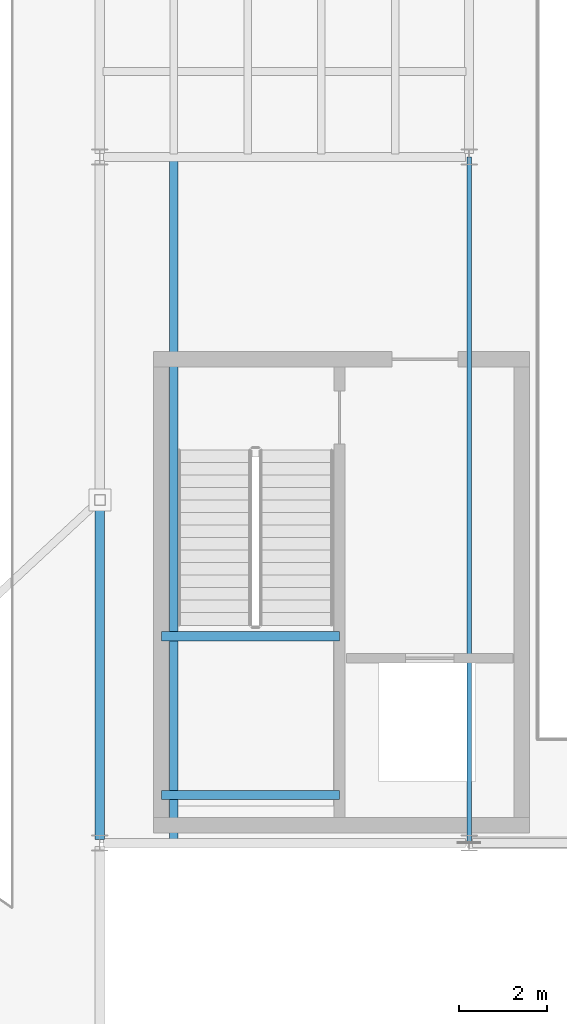
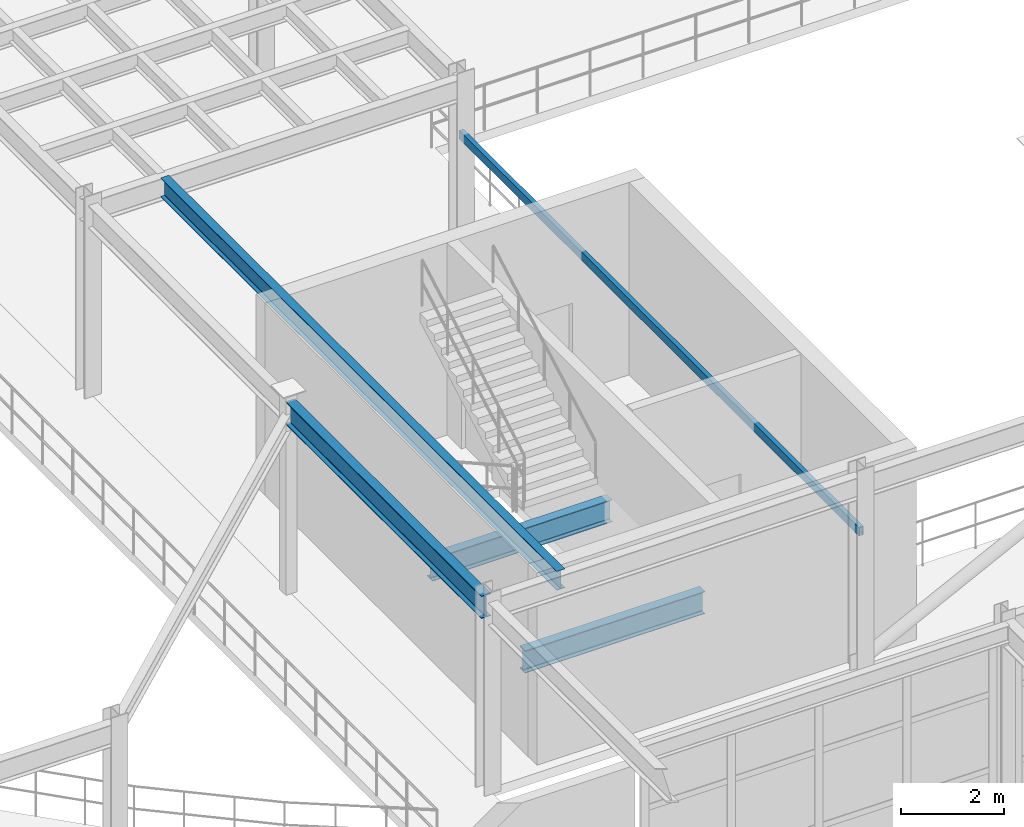
# One storey, part 31 of 116: 5 beams.
"""IFC4 building model written with IfcOpenShell, lengths in metres."""

import ifcopenshell
import ifcopenshell.guid

model = None  # the IFC model being written
_history = None  # IfcOwnerHistory: only IFC2X3 demands one
_inside = {}  # id of a spatial element -> (the spatial element, [elements in it])
_under = {}  # id of a project, library or spatial element -> (it, [spatial elements below it])
_declared = {}  # id of a project -> (the project, [libraries it declares])
_typed = {}  # id of a type object -> (the type object, [elements of that type])
_made_of = {}  # id of a material, layer set ... -> (it, [elements and type objects made of it])


def new_model(schema):
    """Start an empty IFC model of exactly this schema.

    Asked for "IFC4X3", IfcOpenShell would pick the latest addendum, in which some entities
    have other attributes; the version numbers below select the first issue.
    IFC2X3 requires an IfcOwnerHistory on every rooted entity: one is made here for all.
    """
    global model, _history
    if schema == "IFC4X3":
        model = ifcopenshell.file(schema_version=(4, 3, 0, 0))
    else:
        model = ifcopenshell.file(schema=schema)
    _inside.clear()
    _under.clear()
    _declared.clear()
    _typed.clear()
    _made_of.clear()
    _history = None
    if model.schema == "IFC2X3":
        org = make("IfcOrganization", Name="unknown")
        user = make(
            "IfcPersonAndOrganization",
            ThePerson=make("IfcPerson", FamilyName="unknown"),
            TheOrganization=org,
        )
        app = make(
            "IfcApplication",
            ApplicationDeveloper=org,
            Version="unknown",
            ApplicationFullName="unknown",
            ApplicationIdentifier="unknown",
        )
        _history = make(
            "IfcOwnerHistory",
            OwningUser=user,
            OwningApplication=app,
            ChangeAction="ADDED",
            CreationDate=0,
        )
    return model


def make(cls, **values):
    """One entity of the class cls with the attributes given. An attribute that is None is left unset."""
    return model.create_entity(
        cls, **{name: value for name, value in values.items() if value is not None}
    )


def rooted(cls, **values):
    """An entity with a GlobalId (a new one), such as an element, a storey or a relation."""
    return make(cls, GlobalId=ifcopenshell.guid.new(), OwnerHistory=_history, **values)


def si_unit(unit_type, name, prefix=None):
    """IfcSIUnit, for example si_unit("LENGTHUNIT", "METRE", prefix="MILLI")."""
    return make("IfcSIUnit", UnitType=unit_type, Prefix=prefix, Name=name)


def assignment(units):
    """IfcUnitAssignment: the units of a project."""
    return None if units is None else make("IfcUnitAssignment", Units=units)


def point(xyz):
    """IfcCartesianPoint."""
    return None if xyz is None else make("IfcCartesianPoint", Coordinates=xyz)


def direction(xyz):
    """IfcDirection."""
    return None if xyz is None else make("IfcDirection", DirectionRatios=xyz)


def frame(location, z_axis=None, x_axis=None):
    """IfcAxis2Placement3D, a coordinate frame: its origin and axes. An axis left out is left unset."""
    return make(
        "IfcAxis2Placement3D",
        Location=point(location),
        Axis=direction(z_axis),
        RefDirection=direction(x_axis),
    )


def frame_2d(location, x_axis=None):
    """IfcAxis2Placement2D, a coordinate frame in the plane: its origin and x axis."""
    return make(
        "IfcAxis2Placement2D", Location=point(location), RefDirection=direction(x_axis)
    )


def origin():
    """The frame at (0, 0, 0) with its axes left unset."""
    return frame((0.0, 0.0, 0.0))


def origin_2d():
    """The frame at (0, 0) in the plane with its x axis left unset."""
    return frame_2d((0.0, 0.0))


def place(relative_to, where):
    """IfcLocalPlacement: puts the frame where relative to a parent placement (None: the world)."""
    return make(
        "IfcLocalPlacement", PlacementRelTo=relative_to, RelativePlacement=where
    )


def context(
    kind, dimensions, precision=None, world=None, true_north=None, identifier=None
):
    """IfcGeometricRepresentationContext, for example the 3D "Model" context."""
    return make(
        "IfcGeometricRepresentationContext",
        ContextIdentifier=identifier,
        ContextType=kind,
        CoordinateSpaceDimension=dimensions,
        Precision=precision,
        WorldCoordinateSystem=world,
        TrueNorth=true_north,
    )


def subcontext(parent, identifier, kind, view, scale=None):
    """IfcGeometricRepresentationSubContext, for example "Body" below "Model"."""
    return make(
        "IfcGeometricRepresentationSubContext",
        ContextIdentifier=identifier,
        ContextType=kind,
        ParentContext=parent,
        TargetScale=scale,
        TargetView=view,
    )


def project(units=None, contexts=None):
    """IfcProject with its units and contexts."""
    return rooted(
        "IfcProject",
        Name="project",
        RepresentationContexts=contexts,
        UnitsInContext=assignment(units),
    )


def spatial(cls, under=None, at=None, **own):
    """A site, building, storey or space (cls), placed at a placement, below another one or the project."""
    s = rooted(cls, ObjectPlacement=at, **own)
    if under is not None:
        _under.setdefault(under.id(), (under, []))[1].append(s)
    return s


def profile(cls, at=None, kind="AREA", **sizes):
    """A parametric profile (cls). Its sizes go by their IFC names, for example OverallWidth=200.0."""
    return make(cls, ProfileType=kind, Position=at, **sizes)


def hollow_rectangle(**sizes):
    """IfcRectangleHollowProfileDef."""
    return profile("IfcRectangleHollowProfileDef", **sizes)


def i_section(**sizes):
    """IfcIShapeProfileDef."""
    return profile("IfcIShapeProfileDef", **sizes)


def extrude(swept, where, along, depth):
    """IfcExtrudedAreaSolid: the profile swept, set in the frame where, extruded along a direction by depth."""
    return make(
        "IfcExtrudedAreaSolid",
        SweptArea=swept,
        Position=where,
        ExtrudedDirection=direction(along),
        Depth=depth,
    )


def shape(context_of_items, identifier, shape_type, items):
    """IfcShapeRepresentation: the items that make up one representation, for example the "Body"."""
    return make(
        "IfcShapeRepresentation",
        ContextOfItems=context_of_items,
        RepresentationIdentifier=identifier,
        RepresentationType=shape_type,
        Items=items,
    )


def material(Name=None, Category=None):
    """IfcMaterial."""
    return make("IfcMaterial", Name=Name, Category=Category)


def material_profile(
    of_material, cross_section, Name=None, Category=None, Priority=None
):
    """IfcMaterialProfile: a cross section and its material."""
    return make(
        "IfcMaterialProfile",
        Name=Name,
        Material=of_material,
        Profile=cross_section,
        Priority=Priority,
        Category=Category,
    )


def profile_set(profiles, Name=None, composite=None):
    """IfcMaterialProfileSet."""
    return make(
        "IfcMaterialProfileSet",
        Name=Name,
        MaterialProfiles=profiles,
        CompositeProfile=composite,
    )


def made_of(thing, what):
    """Note that an element or type object is made of a material, layer set ...; save() writes the relation."""
    if what is not None:
        _made_of.setdefault(what.id(), (what, []))[1].append(thing)
    return thing


def type_object(cls, material=None, **own):
    """A type object (cls), such as IfcWallType, which elements share."""
    return made_of(rooted(cls, **own), material)


def element(
    cls,
    number,
    at=None,
    inside=None,
    cuts=None,
    type_object=None,
    material=None,
    context=None,
    identifier="Body",
    shape_type=None,
    held_by="IfcProductDefinitionShape",
    body=None,
    shapes=None,
    **own,
):
    """One element of the class cls, such as IfcWall. Its Tag is "e" and its number.

    at: its placement. inside: the storey or other place that contains it. cuts: it is an
    opening in that element (IfcRelVoidsElement). A single representation is given by context,
    identifier, shape_type and body (its items); several are given by shapes. held_by: the class
    of the entity that holds the representations. save() writes the other relations.
    """
    e = rooted(cls, Tag="e%d" % number, ObjectPlacement=at, **own)
    if body is not None:
        shapes = [shape(context, identifier, shape_type, body)]
    if shapes is not None:
        e.Representation = make(held_by, Representations=shapes)
    if inside is not None:
        _inside.setdefault(inside.id(), (inside, []))[1].append(e)
    if cuts is not None:
        rooted(
            "IfcRelVoidsElement", RelatingBuildingElement=cuts, RelatedOpeningElement=e
        )
    if type_object is not None:
        _typed.setdefault(type_object.id(), (type_object, []))[1].append(e)
    return made_of(e, material)


def aggregate(whole, parts):
    """IfcRelAggregates: a whole, such as a stair, and the parts it consists of."""
    return rooted("IfcRelAggregates", RelatingObject=whole, RelatedObjects=parts)


def save(model, path):
    """Write the relations noted so far, then the file.

    IfcRelAggregates (storeys below a building ...), IfcRelContainedInSpatialStructure (elements
    in a storey), IfcRelDefinesByType, IfcRelAssociatesMaterial and IfcRelDeclares: one each for
    every whole, place, type object, material and project.
    """
    for whole, parts in _under.values():
        aggregate(whole, parts)
    for where, things in _inside.values():
        rooted(
            "IfcRelContainedInSpatialStructure",
            RelatedElements=things,
            RelatingStructure=where,
        )
    for kind, things in _typed.values():
        rooted("IfcRelDefinesByType", RelatedObjects=things, RelatingType=kind)
    for what, things in _made_of.values():
        rooted("IfcRelAssociatesMaterial", RelatedObjects=things, RelatingMaterial=what)
    for by, libraries in _declared.values():
        rooted("IfcRelDeclares", RelatingContext=by, RelatedDefinitions=libraries)
    model.write(path)


model = new_model("IFC4")

# Units and contexts
model_context = context("Model", 3, precision=1e-05, world=origin(), true_north=direction((0.0, 1.0)))
body_context = subcontext(model_context, "Body", "Model", "MODEL_VIEW")
ifc_project = project(units=[si_unit("LENGTHUNIT", "METRE"), si_unit("AREAUNIT", "SQUARE_METRE"), si_unit("VOLUMEUNIT", "CUBIC_METRE"), si_unit("PLANEANGLEUNIT", "RADIAN"), si_unit("MASSUNIT", "GRAM", prefix="KILO")], contexts=[model_context])

# Site, building, storey
site_placement = place(None, origin())
site = spatial("IfcSite", under=ifc_project, at=site_placement, CompositionType="ELEMENT")
building_placement = place(site_placement, origin())
building = spatial("IfcBuilding", under=site, at=building_placement, Name="Selat Folded Stagehouse", CompositionType="ELEMENT")
storey_placement = place(building_placement, frame((0.0, 0.0, 5.39990234375)))
storey = spatial("IfcBuildingStorey", under=building, at=storey_placement, Name="L01", CompositionType="ELEMENT", Elevation=5.39990234375)

# Beams
ifc_material = material(Name="Steel S355", Category="steel")
ifc_material_profile_1 = material_profile(ifc_material, i_section(OverallWidth=0.210693359375, OverallDepth=0.53955078125, WebThickness=0.01171875, FlangeThickness=0.018798828125, FilletRadius=0.0126953125, at=origin_2d()), Name="UKB 533x210x109")
ifc_profile_set_1 = profile_set([ifc_material_profile_1], Name="Steel S355")
beam_type_1 = type_object("IfcBeamType", Name="BM-GIRD-533x210x109", PredefinedType="BEAM", material=ifc_profile_set_1)
beam_1_placement = place(storey_placement, frame((33.60009765625, 23.47998046875, 4.310302734375), z_axis=(0.0, 1.0, 0.0), x_axis=(-1.0, 0.0, 0.0)))
element("IfcBeam", 1, at=beam_1_placement, inside=storey, type_object=beam_type_1, Name="L01 primary y-girder 0815", PredefinedType="BEAM", context=body_context, shape_type="SweptSolid", body=[
    extrude(i_section(OverallWidth=0.210693359375, OverallDepth=0.53955078125, WebThickness=0.01171875, FlangeThickness=0.018798828125, FilletRadius=0.0126953125, at=origin_2d()), origin(), (0.0, 0.0, 1.0), 7.64501953125),
])
ifc_material_profile_2 = material_profile(ifc_material, i_section(OverallWidth=0.209228515625, OverallDepth=0.533203125, WebThickness=0.010009765625, FlangeThickness=0.015625, FilletRadius=0.0126953125, at=origin_2d()), Name="UKB 533x210x92")
ifc_profile_set_2 = profile_set([ifc_material_profile_2], Name="Steel S355")
beam_type_2 = type_object("IfcBeamType", Name="BM-GIRD-533x210x92", PredefinedType="BEAM", material=ifc_profile_set_2)
for number, where, z_axis, x_axis, name in (
    (2, (35.0, 24.489990234375, 1.93359375), (1.0, 0.0, 0.0), (0.0, 1.0, 0.0), "L01 ST-01 landing support beam 1"),
    (3, (35.0, 28.10009765625, 1.93359375), (1.0, 0.0, 0.0), (0.0, 1.0, 0.0), "L01 ST-01 landing support beam 2"),
):
    element("IfcBeam", number, at=place(storey_placement, frame(where, z_axis=z_axis, x_axis=x_axis)), inside=storey, type_object=beam_type_2, Name=name, PredefinedType="BEAM", context=body_context, shape_type="SweptSolid", body=[
        extrude(i_section(OverallWidth=0.209228515625, OverallDepth=0.533203125, WebThickness=0.010009765625, FlangeThickness=0.015625, FilletRadius=0.0126953125, at=origin_2d()), origin(), (0.0, 0.0, 1.0), 4.050048828125),
    ])
ifc_material_profile_3 = material_profile(ifc_material, i_section(OverallWidth=0.18994140625, OverallDepth=0.453369140625, WebThickness=0.008544921875, FlangeThickness=0.0126953125, FilletRadius=0.01025390625, at=origin_2d()), Name="UKB 457x191x67")
ifc_profile_set_3 = profile_set([ifc_material_profile_3], Name="Steel S355")
beam_type_3 = type_object("IfcBeamType", Name="JST-457x191x67", PredefinedType="JOIST", material=ifc_profile_set_3)
beam_2_placement = place(storey_placement, frame((35.280029296875, 23.473388671875, 4.353515625), z_axis=(0.0, 1.0, 0.0), x_axis=(-1.0, 0.0, 0.0)))
element("IfcBeam", 4, at=beam_2_placement, inside=storey, type_object=beam_type_3, Name="L01 secondary floor joist 0862", PredefinedType="JOIST", context=body_context, shape_type="SweptSolid", body=[
    extrude(i_section(OverallWidth=0.18994140625, OverallDepth=0.453369140625, WebThickness=0.008544921875, FlangeThickness=0.0126953125, FilletRadius=0.01025390625, at=origin_2d()), origin(), (0.0, 0.0, 1.0), 15.453369140625),
])
ifc_material_profile_4 = material_profile(ifc_material, hollow_rectangle(XDim=0.10009765625, YDim=0.199951171875, WallThickness=0.008056640625, at=origin_2d()), Name="RHS 200x100x8.0")
ifc_profile_set_4 = profile_set([ifc_material_profile_4], Name="Steel S355")
beam_type_4 = type_object("IfcBeamType", Name="LNT-RHS-200x100", PredefinedType="LINTEL", material=ifc_profile_set_4)
beam_3_placement = place(storey_placement, frame((42.0, 23.39990234375, 3.2001953125), z_axis=(0.0, 1.0, 0.0), x_axis=(-1.0, 0.0, 0.0)))
element("IfcBeam", 5, at=beam_3_placement, inside=storey, type_object=beam_type_4, Name="L01 structural lintel beam 06", PredefinedType="LINTEL", context=body_context, shape_type="SweptSolid", body=[
    extrude(hollow_rectangle(XDim=0.10009765625, YDim=0.199951171875, WallThickness=0.008056640625, at=origin_2d()), origin(), (0.0, 0.0, 1.0), 15.60009765625),
])

save(model, "model.ifc")
